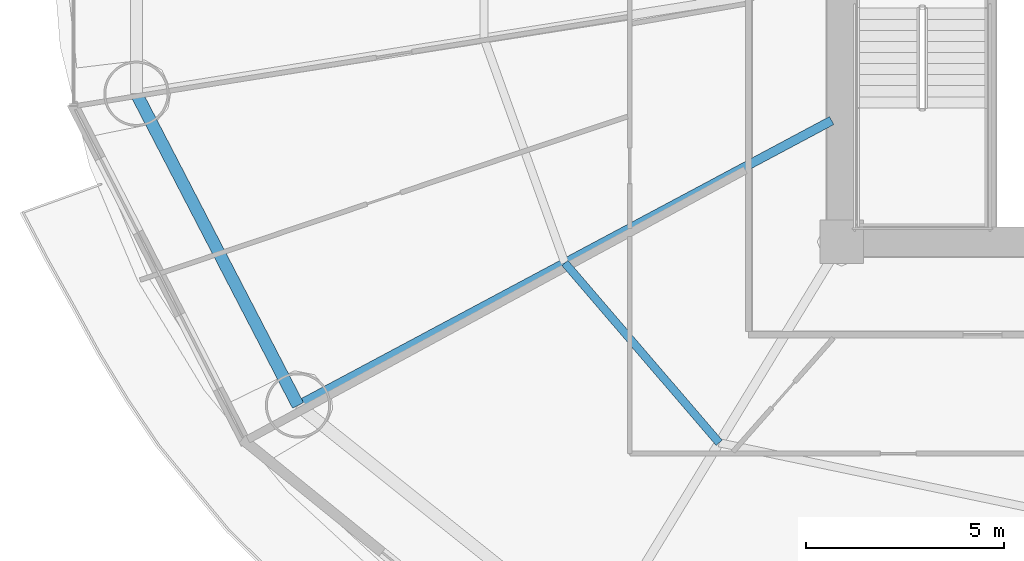
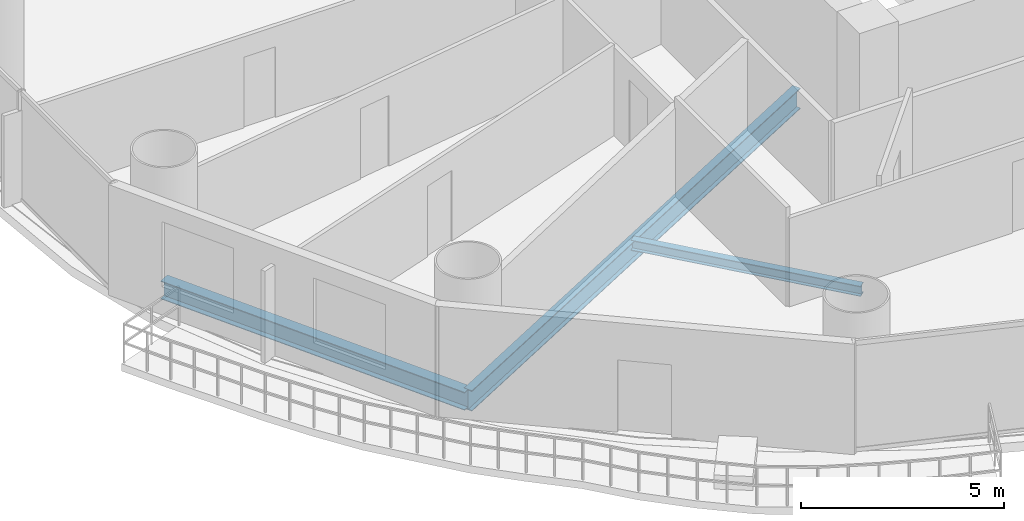
# One storey, part 3 of 29: 3 beams.
"""IFC4 building model written with IfcOpenShell, lengths in metres."""

from ifc_helpers import new_model, si_unit, direction, frame, origin, origin_2d, place, context, subcontext, project, spatial, i_section, extrude, material, material_profile, profile_set, type_object, element, save


model = new_model("IFC4")

# Units and contexts
model_context = context("Model", 3, precision=1e-05, world=origin(), true_north=direction((-0.2419218956, 0.970295726276)))
body_context = subcontext(model_context, "Body", "Model", "MODEL_VIEW")
ifc_project = project(units=[si_unit("LENGTHUNIT", "METRE"), si_unit("AREAUNIT", "SQUARE_METRE"), si_unit("VOLUMEUNIT", "CUBIC_METRE"), si_unit("PLANEANGLEUNIT", "RADIAN"), si_unit("MASSUNIT", "GRAM", prefix="KILO")], contexts=[model_context])

# Site, building, storey
site_placement = place(None, origin())
site = spatial("IfcSite", under=ifc_project, at=site_placement, CompositionType="ELEMENT")
building_placement = place(site_placement, origin())
building = spatial("IfcBuilding", under=site, at=building_placement, Name="Cobrevalo Terracotta Tower", CompositionType="ELEMENT")
storey_placement = place(building_placement, frame((0.0, 0.0, 67.199951171875)))
storey = spatial("IfcBuildingStorey", under=building, at=storey_placement, Name="L17", CompositionType="ELEMENT", Elevation=67.199951171875)

# Beams
ifc_material = material(Name="Steel S355", Category="steel")
ifc_material_profile_1 = material_profile(ifc_material, i_section(OverallWidth=0.22998046875, OverallDepth=0.616943359375, WebThickness=0.01318359375, FlangeThickness=0.022216796875, at=origin_2d()), Name="W 610x140")
ifc_profile_set_1 = profile_set([ifc_material_profile_1], Name="Steel S355")
beam_type_1 = type_object("IfcBeamType", Name="Structural Beam W 610x140 (Steel S355)", PredefinedType="BEAM", material=ifc_profile_set_1)
beam_1_placement = place(storey_placement, frame((15.25927734375, 14.660888671875, -0.58837890625), z_axis=(0.88218223571, 0.470908168329, 0.0), x_axis=(-0.470908168329, 0.88218223571, 0.0)))
element("IfcBeam", 1, at=beam_1_placement, inside=storey, type_object=beam_type_1, Name="L17 radial floor girder 10", PredefinedType="BEAM", context=body_context, shape_type="SweptSolid", body=[
    extrude(i_section(OverallWidth=0.22998046875, OverallDepth=0.616943359375, WebThickness=0.01318359375, FlangeThickness=0.022216796875, at=origin_2d()), origin(), (0.0, 0.0, 1.0), 15.286865234375),
])
ifc_material_profile_2 = material_profile(ifc_material, i_section(OverallWidth=0.2041015625, OverallDepth=0.305908203125, WebThickness=0.008544921875, FlangeThickness=0.0146484375, at=origin_2d()), Name="W 310x67")
ifc_profile_set_2 = profile_set([ifc_material_profile_2], Name="Steel S355")
beam_type_2 = type_object("IfcBeamType", Name="Structural Joist W 310x67 (Steel S355)", PredefinedType="JOIST", material=ifc_profile_set_2)
beam_2_placement = place(storey_placement, frame((22.002197265625, 18.26025390625, -0.432861328125), z_axis=(0.651328404454, -0.758795960421, 0.0), x_axis=(0.758795960421, 0.651328404454, 0.0)))
element("IfcBeam", 2, at=beam_2_placement, inside=storey, type_object=beam_type_2, Name="L17 circumferential secondary floor joist 10", PredefinedType="JOIST", context=body_context, shape_type="SweptSolid", body=[
    extrude(i_section(OverallWidth=0.2041015625, OverallDepth=0.305908203125, WebThickness=0.008544921875, FlangeThickness=0.0146484375, at=origin_2d()), origin(), (0.0, 0.0, 1.0), 5.98828125),
])
ifc_material_profile_3 = material_profile(ifc_material, i_section(OverallWidth=0.31201171875, OverallDepth=0.54296875, WebThickness=0.0126953125, FlangeThickness=0.020263671875, at=origin_2d()), Name="W 530x150")
ifc_profile_set_3 = profile_set([ifc_material_profile_3], Name="Steel S355")
beam_type_3 = type_object("IfcBeamType", Name="Structural Spandrel W 530x150 (Steel S355)", PredefinedType="SPANDREL", material=ifc_profile_set_3)
beam_3_placement = place(storey_placement, frame((11.175537109375, 22.537353515625, -0.551513671875), z_axis=(0.460285838799, -0.88777077368, 0.0), x_axis=(0.88777077368, 0.460285838799, 0.0)))
element("IfcBeam", 3, at=beam_3_placement, inside=storey, type_object=beam_type_3, Name="L17 perimeter ring spandrel 09", PredefinedType="SPANDREL", context=body_context, shape_type="SweptSolid", body=[
    extrude(i_section(OverallWidth=0.31201171875, OverallDepth=0.54296875, WebThickness=0.0126953125, FlangeThickness=0.020263671875, at=origin_2d()), origin(), (0.0, 0.0, 1.0), 8.8720703125),
])

save(model, "model.ifc")
